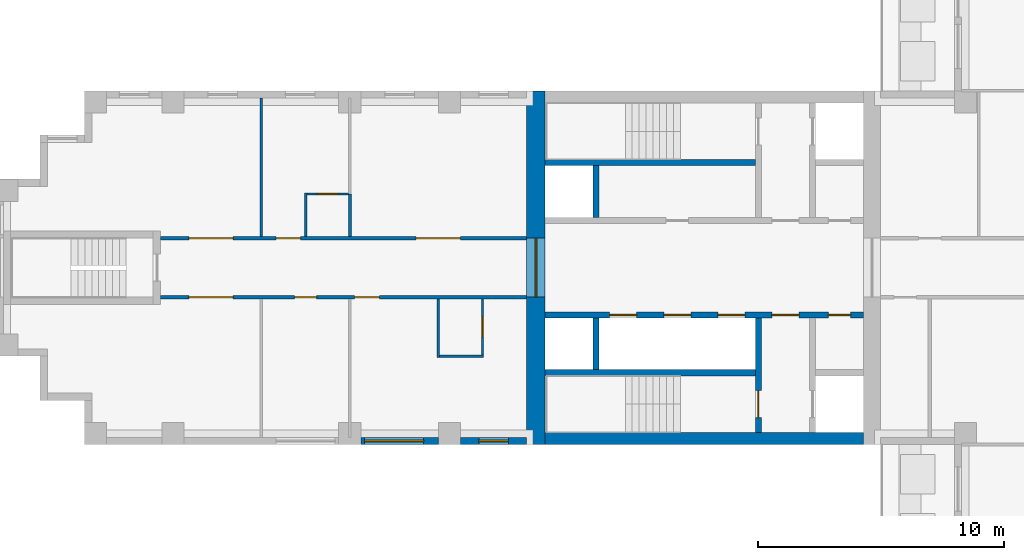
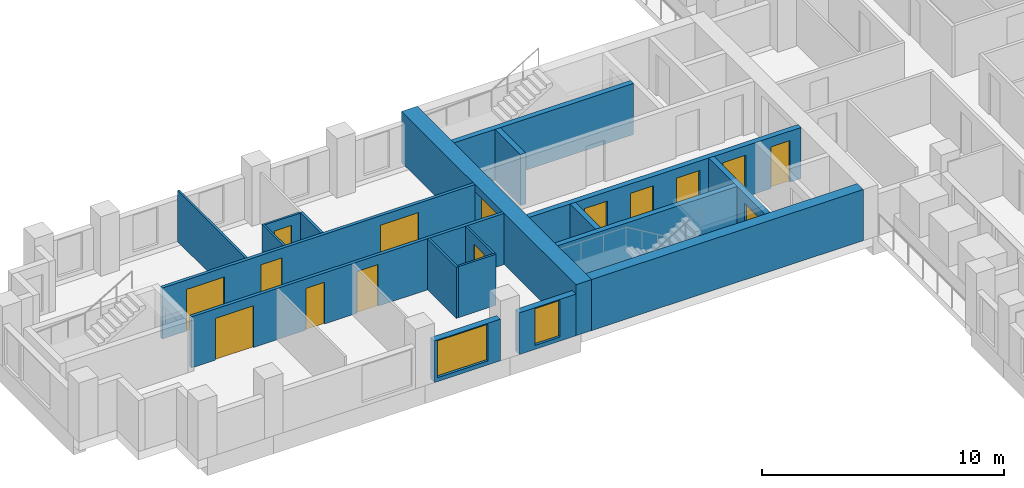
# One storey, part 6 of 14: 19 walls, 15 doors, 2 windows, 17 openings.
"""IFC4 building model written with IfcOpenShell, lengths in metres."""

from ifc_helpers import new_model, si_unit, direction, frame, frame_2d, origin, place, context, subcontext, project, spatial, rectangle, extrude, material, layer, layer_set, type_object, element, fill, save


model = new_model("IFC4")

# Units and contexts
model_context = context("Model", 3, precision=1e-05, world=origin(), true_north=direction((0.0, 1.0)))
body_context = subcontext(model_context, "Body", "Model", "MODEL_VIEW")
ifc_project = project(units=[si_unit("LENGTHUNIT", "METRE"), si_unit("AREAUNIT", "SQUARE_METRE"), si_unit("VOLUMEUNIT", "CUBIC_METRE"), si_unit("PLANEANGLEUNIT", "RADIAN"), si_unit("MASSUNIT", "GRAM", prefix="KILO")], contexts=[model_context])

# Site, building, storey
site_placement = place(None, origin())
site = spatial("IfcSite", under=ifc_project, at=site_placement, CompositionType="ELEMENT")
building_placement = place(site_placement, origin())
building = spatial("IfcBuilding", under=site, at=building_placement, Name="Fustian Cross Tower", CompositionType="ELEMENT")
storey_placement = place(building_placement, frame((0.0, 0.0, 96.89990234375)))
storey = spatial("IfcBuildingStorey", under=building, at=storey_placement, Name="L30", CompositionType="ELEMENT", Elevation=96.89990234375)

# Wall, openings, doors
ifc_material_1 = material(Name="Plasterboard on steel stud", Category="steel")
ifc_layer_1 = layer(ifc_material_1, 0.14990234375)
ifc_layer_set_1 = layer_set([ifc_layer_1], Name="Plasterboard on steel stud")
wall_type_1 = type_object("IfcWallType", Name="COMPARTMENT WALL 150 EI 60", PredefinedType="PARTITIONING", material=ifc_layer_set_1)
wall_1_placement = place(storey_placement, frame((-36.5, -1.199951171875, 0.0), z_axis=(0.0, 0.0, 1.0), x_axis=(1.0, 0.0, 0.0)))
wall_1 = element("IfcWall", 1, at=wall_1_placement, inside=storey, type_object=wall_type_1, Name="Partition 1", PredefinedType="PARTITIONING", context=body_context, shape_type="SweptSolid", body=[
    extrude(rectangle(XDim=14.89990234375, YDim=0.14990234375, at=frame_2d((7.449951171875, 0.0))), origin(), (0.0, 0.0, 1.0), 2.5751953125),
])
opening_1_placement = place(wall_1_placement, frame((7.89990234375, 0.0, 0.0)))
opening_1 = element("IfcOpeningElement", 2, at=opening_1_placement, cuts=wall_1, Name="Opening D14028", PredefinedType="OPENING", context=body_context, shape_type="SweptSolid", body=[
    extrude(rectangle(XDim=1.0, YDim=2.10009765625, at=frame_2d((0.5, 1.050048828125))), frame((0.0, 0.0849609375, 0.0), z_axis=(0.0, -1.0, 0.0), x_axis=(1.0, 0.0, 0.0)), (0.0, 0.0, 1.0), 0.169921875),
])
opening_2_placement = place(wall_1_placement, frame((5.449951171875, 0.0, 0.0)))
opening_2 = element("IfcOpeningElement", 3, at=opening_2_placement, cuts=wall_1, Name="Opening D14029", PredefinedType="OPENING", context=body_context, shape_type="SweptSolid", body=[
    extrude(rectangle(XDim=0.89990234375, YDim=2.10009765625, at=frame_2d((0.449951171875, 1.050048828125))), frame((0.0, 0.0849609375, 0.0), z_axis=(0.0, -1.0, 0.0), x_axis=(1.0, 0.0, 0.0)), (0.0, 0.0, 1.0), 0.169921875),
])
opening_3_placement = place(wall_1_placement, frame((1.14990234375, 0.0, 0.0)))
opening_3 = element("IfcOpeningElement", 4, at=opening_3_placement, cuts=wall_1, Name="Opening D14030", PredefinedType="OPENING", context=body_context, shape_type="SweptSolid", body=[
    extrude(rectangle(XDim=1.800048828125, YDim=2.10009765625, at=frame_2d((0.89990234375, 1.050048828125))), frame((0.0, 0.0849609375, 0.0), z_axis=(0.0, -1.0, 0.0), x_axis=(1.0, 0.0, 0.0)), (0.0, 0.0, 1.0), 0.169921875),
])
ifc_material_2 = material(Name="Timber fire door set", Category="wood")
door_type_1 = type_object("IfcDoorType", Name="FIRE DOUBLE DOOR 1800 FD30S", OperationType="DOUBLE_DOOR_DOUBLE_SWING", PredefinedType="DOOR", material=ifc_material_2)
door_1_placement = place(opening_3_placement, origin())
door_1 = element("IfcDoor", 5, at=door_1_placement, inside=storey, type_object=door_type_1, Name="Door D14030", OperationType="DOUBLE_DOOR_DOUBLE_SWING", OverallHeight=2.10009765625, OverallWidth=1.800048828125, PredefinedType="DOOR", context=body_context, shape_type="SweptSolid", body=[
    extrude(rectangle(XDim=1.800048828125, YDim=2.10009765625, at=frame_2d((0.89990234375, 1.050048828125))), frame((0.0, 0.02490234375, 0.0), z_axis=(0.0, -1.0, 0.0), x_axis=(1.0, 0.0, 0.0)), (0.0, 0.0, 1.0), 0.050048828125),
])
fill(opening_3, door_1)
ifc_material_3 = material(Name="Timber fire door set", Category="wood")
door_type_2 = type_object("IfcDoorType", Name="FIRE SWING DOOR 1000 FD30S", OperationType="SINGLE_SWING_LEFT", PredefinedType="DOOR", material=ifc_material_3)
door_2_placement = place(opening_1_placement, frame((1.0, 0.0, 0.0), z_axis=(0.0, 0.0, 1.0), x_axis=(-1.0, 0.0, 0.0)))
door_2 = element("IfcDoor", 6, at=door_2_placement, inside=storey, type_object=door_type_2, Name="Door D14028", OperationType="SINGLE_SWING_RIGHT", OverallHeight=2.10009765625, OverallWidth=1.0, PredefinedType="DOOR", context=body_context, shape_type="SweptSolid", body=[
    extrude(rectangle(XDim=1.0, YDim=2.10009765625, at=frame_2d((0.5, 1.050048828125))), frame((0.0, 0.02490234375, 0.0), z_axis=(0.0, -1.0, 0.0), x_axis=(1.0, 0.0, 0.0)), (0.0, 0.0, 1.0), 0.050048828125),
])
fill(opening_1, door_2)
ifc_material_4 = material(Name="Timber fire door set", Category="wood")
door_type_3 = type_object("IfcDoorType", Name="FIRE SWING DOOR 900 FD30S", OperationType="SINGLE_SWING_LEFT", PredefinedType="DOOR", material=ifc_material_4)
door_3_placement = place(opening_2_placement, frame((0.89990234375, 0.0, 0.0), z_axis=(0.0, 0.0, 1.0), x_axis=(-1.0, 0.0, 0.0)))
door_3 = element("IfcDoor", 7, at=door_3_placement, inside=storey, type_object=door_type_3, Name="Door D14029", OperationType="SINGLE_SWING_RIGHT", OverallHeight=2.10009765625, OverallWidth=0.89990234375, PredefinedType="DOOR", context=body_context, shape_type="SweptSolid", body=[
    extrude(rectangle(XDim=0.89990234375, YDim=2.10009765625, at=frame_2d((0.449951171875, 1.050048828125))), frame((0.0, 0.02490234375, 0.0), z_axis=(0.0, -1.0, 0.0), x_axis=(1.0, 0.0, 0.0)), (0.0, 0.0, 1.0), 0.050048828125),
])
fill(opening_2, door_3)

wall_2_placement = place(storey_placement, frame((-36.5, 1.199951171875, 0.0), z_axis=(0.0, 0.0, 1.0), x_axis=(1.0, 0.0, 0.0)))
wall_2 = element("IfcWall", 8, at=wall_2_placement, inside=storey, type_object=wall_type_1, Name="Partition 2", PredefinedType="PARTITIONING", context=body_context, shape_type="SweptSolid", body=[
    extrude(rectangle(XDim=14.89990234375, YDim=0.14990234375, at=frame_2d((7.449951171875, 0.0))), origin(), (0.0, 0.0, 1.0), 2.5751953125),
])
opening_4_placement = place(wall_2_placement, frame((10.39990234375, 0.0, 0.0)))
opening_4 = element("IfcOpeningElement", 9, at=opening_4_placement, cuts=wall_2, Name="Opening D14031", PredefinedType="OPENING", context=body_context, shape_type="SweptSolid", body=[
    extrude(rectangle(XDim=1.800048828125, YDim=2.10009765625, at=frame_2d((0.89990234375, 1.050048828125))), frame((0.0, 0.0849609375, 0.0), z_axis=(0.0, -1.0, 0.0), x_axis=(1.0, 0.0, 0.0)), (0.0, 0.0, 1.0), 0.169921875),
])
opening_5_placement = place(wall_2_placement, frame((4.699951171875, 0.0, 0.0)))
opening_5 = element("IfcOpeningElement", 10, at=opening_5_placement, cuts=wall_2, Name="Opening D14033", PredefinedType="OPENING", context=body_context, shape_type="SweptSolid", body=[
    extrude(rectangle(XDim=1.0, YDim=2.10009765625, at=frame_2d((0.5, 1.050048828125))), frame((0.0, 0.0849609375, 0.0), z_axis=(0.0, -1.0, 0.0), x_axis=(1.0, 0.0, 0.0)), (0.0, 0.0, 1.0), 0.169921875),
])
opening_6_placement = place(wall_2_placement, frame((1.14990234375, 0.0, 0.0)))
opening_6 = element("IfcOpeningElement", 11, at=opening_6_placement, cuts=wall_2, Name="Opening D14034", PredefinedType="OPENING", context=body_context, shape_type="SweptSolid", body=[
    extrude(rectangle(XDim=1.800048828125, YDim=2.10009765625, at=frame_2d((0.89990234375, 1.050048828125))), frame((0.0, 0.0849609375, 0.0), z_axis=(0.0, -1.0, 0.0), x_axis=(1.0, 0.0, 0.0)), (0.0, 0.0, 1.0), 0.169921875),
])
door_4_placement = place(opening_4_placement, frame((1.800048828125, 0.0, 0.0), z_axis=(0.0, 0.0, 1.0), x_axis=(-1.0, 0.0, 0.0)))
door_4 = element("IfcDoor", 12, at=door_4_placement, inside=storey, type_object=door_type_1, Name="Door D14031", OperationType="DOUBLE_DOOR_DOUBLE_SWING", OverallHeight=2.10009765625, OverallWidth=1.800048828125, PredefinedType="DOOR", context=body_context, shape_type="SweptSolid", body=[
    extrude(rectangle(XDim=1.800048828125, YDim=2.10009765625, at=frame_2d((0.89990234375, 1.050048828125))), frame((0.0, 0.02490234375, 0.0), z_axis=(0.0, -1.0, 0.0), x_axis=(1.0, 0.0, 0.0)), (0.0, 0.0, 1.0), 0.050048828125),
])
fill(opening_4, door_4)
door_5_placement = place(opening_6_placement, frame((1.800048828125, 0.0, 0.0), z_axis=(0.0, 0.0, 1.0), x_axis=(-1.0, 0.0, 0.0)))
door_5 = element("IfcDoor", 13, at=door_5_placement, inside=storey, type_object=door_type_1, Name="Door D14034", OperationType="DOUBLE_DOOR_DOUBLE_SWING", OverallHeight=2.10009765625, OverallWidth=1.800048828125, PredefinedType="DOOR", context=body_context, shape_type="SweptSolid", body=[
    extrude(rectangle(XDim=1.800048828125, YDim=2.10009765625, at=frame_2d((0.89990234375, 1.050048828125))), frame((0.0, 0.02490234375, 0.0), z_axis=(0.0, -1.0, 0.0), x_axis=(1.0, 0.0, 0.0)), (0.0, 0.0, 1.0), 0.050048828125),
])
fill(opening_6, door_5)
door_6_placement = place(opening_5_placement, origin())
door_6 = element("IfcDoor", 14, at=door_6_placement, inside=storey, type_object=door_type_2, Name="Door D14033", OperationType="SINGLE_SWING_RIGHT", OverallHeight=2.10009765625, OverallWidth=1.0, PredefinedType="DOOR", context=body_context, shape_type="SweptSolid", body=[
    extrude(rectangle(XDim=1.0, YDim=2.10009765625, at=frame_2d((0.5, 1.050048828125))), frame((0.0, 0.02490234375, 0.0), z_axis=(0.0, -1.0, 0.0), x_axis=(1.0, 0.0, 0.0)), (0.0, 0.0, 1.0), 0.050048828125),
])
fill(opening_5, door_6)

# Wall, opening, door
ifc_material_5 = material(Name="Concrete C70/85", Category="concrete")
ifc_layer_2 = layer(ifc_material_5, 0.75)
ifc_layer_set_2 = layer_set([ifc_layer_2], Name="Concrete C70/85")
wall_type_2 = type_object("IfcWallType", Name="CORE END WALL 750 C70/85", PredefinedType="SHEAR", material=ifc_layer_set_2)
wall_3_placement = place(storey_placement, frame((-21.22509765625, -7.199951171875, 0.0), z_axis=(0.0, 0.0, 1.0), x_axis=(0.0, 1.0, 0.0)))
wall_3 = element("IfcWall", 15, at=wall_3_placement, inside=storey, type_object=wall_type_2, Name="Core end wall", PredefinedType="SHEAR", context=body_context, shape_type="SweptSolid", body=[
    extrude(rectangle(XDim=14.39990234375, YDim=0.75, at=frame_2d((7.199951171875, 0.0))), origin(), (0.0, 0.0, 1.0), 2.5751953125),
])
opening_7_placement = place(wall_3_placement, frame((6.0, 0.0, 0.0)))
opening_7 = element("IfcOpeningElement", 16, at=opening_7_placement, cuts=wall_3, Name="Opening CD-09-27", PredefinedType="OPENING", context=body_context, shape_type="SweptSolid", body=[
    extrude(rectangle(XDim=2.39990234375, YDim=2.199951171875, at=frame_2d((1.199951171875, 1.10009765625))), frame((0.0, 0.385009765625, 0.0), z_axis=(0.0, -1.0, 0.0), x_axis=(1.0, 0.0, 0.0)), (0.0, 0.0, 1.0), 0.77001953125),
])
ifc_material_6 = material(Name="Steel", Category="steel")
door_type_4 = type_object("IfcDoorType", Name="FIRE DOOR FD30S DOUBLE 2400X2200", OperationType="DOUBLE_DOOR_DOUBLE_SWING", PredefinedType="DOOR", material=ifc_material_6)
door_7_placement = place(opening_7_placement, frame((2.39990234375, 0.0, 0.0), z_axis=(0.0, 0.0, 1.0), x_axis=(-1.0, 0.0, 0.0)))
door_7 = element("IfcDoor", 17, at=door_7_placement, inside=storey, type_object=door_type_4, Name="Core door CD-09-27", OperationType="DOUBLE_DOOR_DOUBLE_SWING", OverallHeight=2.199951171875, OverallWidth=2.39990234375, PredefinedType="DOOR", context=body_context, shape_type="SweptSolid", body=[
    extrude(rectangle(XDim=2.39990234375, YDim=2.199951171875, at=frame_2d((1.199951171875, 1.10009765625))), frame((0.0, 0.02490234375, 0.0), z_axis=(0.0, -1.0, 0.0), x_axis=(1.0, 0.0, 0.0)), (0.0, 0.0, 1.0), 0.050048828125),
])
fill(opening_7, door_7)

# Wall
ifc_material_7 = material(Name="Concrete C70/85", Category="concrete")
ifc_layer_3 = layer(ifc_material_7, 0.5)
ifc_layer_set_3 = layer_set([ifc_layer_3], Name="Concrete C70/85")
wall_type_3 = type_object("IfcWallType", Name="CORE FACADE WALL 500 C70/85", PredefinedType="SHEAR", material=ifc_layer_set_3)
wall_4_placement = place(storey_placement, frame((-7.89990234375, -6.949951171875, 0.0), z_axis=(0.0, 0.0, 1.0), x_axis=(-1.0, 0.0, 0.0)))
element("IfcWall", 18, at=wall_4_placement, inside=storey, type_object=wall_type_3, Name="Core facade wall", PredefinedType="SHEAR", context=body_context, shape_type="SweptSolid", body=[
    extrude(rectangle(XDim=12.9501953125, YDim=0.5, at=frame_2d((6.47509765625, 0.0))), origin(), (0.0, 0.0, 1.0), 2.5751953125),
])

# Wall, openings, doors
ifc_material_8 = material(Name="Concrete C50/60", Category="concrete")
ifc_layer_4 = layer(ifc_material_8, 0.25)
ifc_layer_set_4 = layer_set([ifc_layer_4], Name="Concrete C50/60")
wall_type_4 = type_object("IfcWallType", Name="CORE LOBBY WALL 250 C50/60", PredefinedType="SHEAR", material=ifc_layer_set_4)
wall_5_placement = place(storey_placement, frame((-7.89990234375, -1.925048828125, 0.0), z_axis=(0.0, 0.0, 1.0), x_axis=(-1.0, 0.0, 0.0)))
wall_5 = element("IfcWall", 19, at=wall_5_placement, inside=storey, type_object=wall_type_4, Name="Core lobby wall", PredefinedType="SHEAR", context=body_context, shape_type="SweptSolid", body=[
    extrude(rectangle(XDim=12.9501953125, YDim=0.25, at=frame_2d((6.47509765625, 0.0))), origin(), (0.0, 0.0, 1.0), 2.5751953125),
])
opening_8_placement = place(wall_5_placement, frame((4.824951171875, 0.0, 0.0)))
opening_8 = element("IfcOpeningElement", 20, at=opening_8_placement, cuts=wall_5, Name="Opening LD", PredefinedType="OPENING", context=body_context, shape_type="SweptSolid", body=[
    extrude(rectangle(XDim=1.10009765625, YDim=2.10009765625, at=frame_2d((0.550048828125, 1.050048828125))), frame((0.0, 0.135009765625, 0.0), z_axis=(0.0, -1.0, 0.0), x_axis=(1.0, 0.0, 0.0)), (0.0, 0.0, 1.0), 0.27001953125),
])
opening_9_placement = place(wall_5_placement, frame((7.02490234375, 0.0, 0.0)))
opening_9 = element("IfcOpeningElement", 21, at=opening_9_placement, cuts=wall_5, Name="Opening LD", PredefinedType="OPENING", context=body_context, shape_type="SweptSolid", body=[
    extrude(rectangle(XDim=1.10009765625, YDim=2.10009765625, at=frame_2d((0.550048828125, 1.050048828125))), frame((0.0, 0.135009765625, 0.0), z_axis=(0.0, -1.0, 0.0), x_axis=(1.0, 0.0, 0.0)), (0.0, 0.0, 1.0), 0.27001953125),
])
opening_10_placement = place(wall_5_placement, frame((9.22509765625, 0.0, 0.0)))
opening_10 = element("IfcOpeningElement", 22, at=opening_10_placement, cuts=wall_5, Name="Opening LD", PredefinedType="OPENING", context=body_context, shape_type="SweptSolid", body=[
    extrude(rectangle(XDim=1.10009765625, YDim=2.10009765625, at=frame_2d((0.550048828125, 1.050048828125))), frame((0.0, 0.135009765625, 0.0), z_axis=(0.0, -1.0, 0.0), x_axis=(1.0, 0.0, 0.0)), (0.0, 0.0, 1.0), 0.27001953125),
])
opening_11_placement = place(wall_5_placement, frame((0.52490234375, 0.0, 0.0)))
opening_11 = element("IfcOpeningElement", 23, at=opening_11_placement, cuts=wall_5, Name="Opening CD-09-23", PredefinedType="OPENING", context=body_context, shape_type="SweptSolid", body=[
    extrude(rectangle(XDim=0.89990234375, YDim=2.10009765625, at=frame_2d((0.449951171875, 1.050048828125))), frame((0.0, 0.135009765625, 0.0), z_axis=(0.0, -1.0, 0.0), x_axis=(1.0, 0.0, 0.0)), (0.0, 0.0, 1.0), 0.27001953125),
])
opening_12_placement = place(wall_5_placement, frame((2.625, 0.0, 0.0)))
opening_12 = element("IfcOpeningElement", 24, at=opening_12_placement, cuts=wall_5, Name="Opening CD-09-25", PredefinedType="OPENING", context=body_context, shape_type="SweptSolid", body=[
    extrude(rectangle(XDim=1.10009765625, YDim=2.10009765625, at=frame_2d((0.550048828125, 1.050048828125))), frame((0.0, 0.135009765625, 0.0), z_axis=(0.0, -1.0, 0.0), x_axis=(1.0, 0.0, 0.0)), (0.0, 0.0, 1.0), 0.27001953125),
])
ifc_material_9 = material(Name="Steel", Category="steel")
door_type_5 = type_object("IfcDoorType", Name="FIRE DOOR FD30S 1100X2100", OperationType="SINGLE_SWING_LEFT", PredefinedType="DOOR", material=ifc_material_9)
door_8_placement = place(opening_12_placement, frame((1.10009765625, 0.0, 0.0), z_axis=(0.0, 0.0, 1.0), x_axis=(-1.0, 0.0, 0.0)))
door_8 = element("IfcDoor", 25, at=door_8_placement, inside=storey, type_object=door_type_5, Name="Core door CD-09-25", OperationType="SINGLE_SWING_RIGHT", OverallHeight=2.10009765625, OverallWidth=1.10009765625, PredefinedType="DOOR", context=body_context, shape_type="SweptSolid", body=[
    extrude(rectangle(XDim=1.10009765625, YDim=2.10009765625, at=frame_2d((0.550048828125, 1.050048828125))), frame((0.0, 0.02490234375, 0.0), z_axis=(0.0, -1.0, 0.0), x_axis=(1.0, 0.0, 0.0)), (0.0, 0.0, 1.0), 0.050048828125),
])
fill(opening_12, door_8)
ifc_material_10 = material(Name="Steel", Category="steel")
door_type_6 = type_object("IfcDoorType", Name="FIRE DOOR FD30S 900X2100", OperationType="SINGLE_SWING_LEFT", PredefinedType="DOOR", material=ifc_material_10)
door_9_placement = place(opening_11_placement, origin())
door_9 = element("IfcDoor", 26, at=door_9_placement, inside=storey, type_object=door_type_6, Name="Core door CD-09-23", OperationType="SINGLE_SWING_LEFT", OverallHeight=2.10009765625, OverallWidth=0.89990234375, PredefinedType="DOOR", context=body_context, shape_type="SweptSolid", body=[
    extrude(rectangle(XDim=0.89990234375, YDim=2.10009765625, at=frame_2d((0.449951171875, 1.050048828125))), frame((0.0, 0.02490234375, 0.0), z_axis=(0.0, -1.0, 0.0), x_axis=(1.0, 0.0, 0.0)), (0.0, 0.0, 1.0), 0.050048828125),
])
fill(opening_11, door_9)
ifc_material_11 = material(Name="Stainless steel", Category="steel")
door_type_7 = type_object("IfcDoorType", Name="LIFT LANDING DOOR 1100X2100", OperationType="SLIDING_TO_LEFT", PredefinedType="DOOR", material=ifc_material_11)
door_10_placement = place(opening_8_placement, origin())
door_10 = element("IfcDoor", 27, at=door_10_placement, inside=storey, type_object=door_type_7, Name="Landing door LR1W", OperationType="SLIDING_TO_LEFT", OverallHeight=2.10009765625, OverallWidth=1.10009765625, PredefinedType="DOOR", context=body_context, shape_type="SweptSolid", body=[
    extrude(rectangle(XDim=1.10009765625, YDim=2.10009765625, at=frame_2d((0.550048828125, 1.050048828125))), frame((0.0, 0.02490234375, 0.0), z_axis=(0.0, -1.0, 0.0), x_axis=(1.0, 0.0, 0.0)), (0.0, 0.0, 1.0), 0.050048828125),
])
fill(opening_8, door_10)
door_11_placement = place(opening_9_placement, origin())
door_11 = element("IfcDoor", 28, at=door_11_placement, inside=storey, type_object=door_type_7, Name="Landing door LR2W", OperationType="SLIDING_TO_LEFT", OverallHeight=2.10009765625, OverallWidth=1.10009765625, PredefinedType="DOOR", context=body_context, shape_type="SweptSolid", body=[
    extrude(rectangle(XDim=1.10009765625, YDim=2.10009765625, at=frame_2d((0.550048828125, 1.050048828125))), frame((0.0, 0.02490234375, 0.0), z_axis=(0.0, -1.0, 0.0), x_axis=(1.0, 0.0, 0.0)), (0.0, 0.0, 1.0), 0.050048828125),
])
fill(opening_9, door_11)
door_12_placement = place(opening_10_placement, origin())
door_12 = element("IfcDoor", 29, at=door_12_placement, inside=storey, type_object=door_type_7, Name="Landing door LR3W", OperationType="SLIDING_TO_LEFT", OverallHeight=2.10009765625, OverallWidth=1.10009765625, PredefinedType="DOOR", context=body_context, shape_type="SweptSolid", body=[
    extrude(rectangle(XDim=1.10009765625, YDim=2.10009765625, at=frame_2d((0.550048828125, 1.050048828125))), frame((0.0, 0.02490234375, 0.0), z_axis=(0.0, -1.0, 0.0), x_axis=(1.0, 0.0, 0.0)), (0.0, 0.0, 1.0), 0.050048828125),
])
fill(opening_10, door_12)

# Walls
ifc_material_12 = material(Name="Concrete C50/60", Category="concrete")
ifc_layer_5 = layer(ifc_material_12, 0.25)
ifc_layer_set_5 = layer_set([ifc_layer_5], Name="Concrete C50/60")
wall_type_5 = type_object("IfcWallType", Name="CORE SHAFT WALL 250 C50/60", PredefinedType="SHEAR", material=ifc_layer_set_5)
for number, where, z_axis, x_axis, name in (
    (30, (-12.300048828125, 4.27490234375, 0.0), (0.0, 0.0, 1.0), (-1.0, 0.0, 0.0), "Core shaft wall"),
    (31, (-12.300048828125, -4.27490234375, 0.0), (0.0, 0.0, 1.0), (-1.0, 0.0, 0.0), "Core shaft wall"),
):
    element("IfcWall", number, at=place(storey_placement, frame(where, z_axis=z_axis, x_axis=x_axis)), inside=storey, type_object=wall_type_5, Name=name, PredefinedType="SHEAR", context=body_context, shape_type="SweptSolid", body=[
        extrude(rectangle(XDim=8.550048828125, YDim=0.25, at=frame_2d((4.27490234375, 0.0))), origin(), (0.0, 0.0, 1.0), 2.5751953125),
    ])

# Wall, opening, door
wall_6_placement = place(storey_placement, frame((-12.175048828125, -2.050048828125, 0.0), z_axis=(0.0, 0.0, 1.0), x_axis=(0.0, -1.0, 0.0)))
wall_6 = element("IfcWall", 32, at=wall_6_placement, inside=storey, type_object=wall_type_5, Name="Core shaft wall", PredefinedType="SHEAR", context=body_context, shape_type="SweptSolid", body=[
    extrude(rectangle(XDim=4.64990234375, YDim=0.25, at=frame_2d((2.324951171875, 0.0))), origin(), (0.0, 0.0, 1.0), 2.5751953125),
])
opening_13_placement = place(wall_6_placement, frame((2.949951171875, 0.0, 0.0)))
opening_13 = element("IfcOpeningElement", 33, at=opening_13_placement, cuts=wall_6, Name="Opening CD-09-21", PredefinedType="OPENING", context=body_context, shape_type="SweptSolid", body=[
    extrude(rectangle(XDim=1.10009765625, YDim=2.10009765625, at=frame_2d((0.550048828125, 1.050048828125))), frame((0.0, 0.135009765625, 0.0), z_axis=(0.0, -1.0, 0.0), x_axis=(1.0, 0.0, 0.0)), (0.0, 0.0, 1.0), 0.27001953125),
])
ifc_material_13 = material(Name="Steel", Category="steel")
door_type_8 = type_object("IfcDoorType", Name="FIRE DOOR FD60S 1100X2100", OperationType="SINGLE_SWING_LEFT", PredefinedType="DOOR", material=ifc_material_13)
door_13_placement = place(opening_13_placement, frame((1.10009765625, 0.0, 0.0), z_axis=(0.0, 0.0, 1.0), x_axis=(-1.0, 0.0, 0.0)))
door_13 = element("IfcDoor", 34, at=door_13_placement, inside=storey, type_object=door_type_8, Name="Core door CD-09-21", OperationType="SINGLE_SWING_RIGHT", OverallHeight=2.10009765625, OverallWidth=1.10009765625, PredefinedType="DOOR", context=body_context, shape_type="SweptSolid", body=[
    extrude(rectangle(XDim=1.10009765625, YDim=2.10009765625, at=frame_2d((0.550048828125, 1.050048828125))), frame((0.0, 0.02490234375, 0.0), z_axis=(0.0, -1.0, 0.0), x_axis=(1.0, 0.0, 0.0)), (0.0, 0.0, 1.0), 0.050048828125),
])
fill(opening_13, door_13)

# Walls
ifc_material_14 = material(Name="Plasterboard on steel stud", Category="steel")
ifc_layer_6 = layer(ifc_material_14, 0.10009765625)
ifc_layer_set_6 = layer_set([ifc_layer_6], Name="Plasterboard on steel stud")
wall_type_6 = type_object("IfcWallType", Name="PARTITION 100 STUD", PredefinedType="PARTITIONING", material=ifc_layer_set_6)
wall_7_placement = place(storey_placement, frame((-32.39990234375, 1.27490234375, 0.0), z_axis=(0.0, 0.0, 1.0), x_axis=(0.0, 1.0, 0.0)))
element("IfcWall", 35, at=wall_7_placement, inside=storey, type_object=wall_type_6, Name="Partition 4", PredefinedType="PARTITIONING", context=body_context, shape_type="SweptSolid", body=[
    extrude(rectangle(XDim=5.625, YDim=0.10009765625, at=frame_2d((2.8125, 0.0))), origin(), (0.0, 0.0, 1.0), 2.5751953125),
])
wall_8_placement = place(storey_placement, frame((-30.60009765625, 1.27490234375, 0.0), z_axis=(0.0, 0.0, 1.0), x_axis=(0.0, 1.0, 0.0)))
element("IfcWall", 36, at=wall_8_placement, inside=storey, type_object=wall_type_6, Name="Partition 5", PredefinedType="PARTITIONING", context=body_context, shape_type="SweptSolid", body=[
    extrude(rectangle(XDim=1.775146484375, YDim=0.10009765625, at=frame_2d((0.8876953125, 0.0))), origin(), (0.0, 0.0, 1.0), 2.5751953125),
])

# Wall, opening, door
wall_9_placement = place(storey_placement, frame((-30.550048828125, 3.0, 0.0), z_axis=(0.0, 0.0, 1.0), x_axis=(1.0, 0.0, 0.0)))
wall_9 = element("IfcWall", 37, at=wall_9_placement, inside=storey, type_object=wall_type_6, Name="Partition 6", PredefinedType="PARTITIONING", context=body_context, shape_type="SweptSolid", body=[
    extrude(rectangle(XDim=1.6875, YDim=0.10009765625, at=frame_2d((0.84375, 0.0))), origin(), (0.0, 0.0, 1.0), 2.5751953125),
])
opening_14_placement = place(wall_9_placement, frame((0.449951171875, 0.0, 0.0)))
opening_14 = element("IfcOpeningElement", 38, at=opening_14_placement, cuts=wall_9, Name="Opening D14032", PredefinedType="OPENING", context=body_context, shape_type="SweptSolid", body=[
    extrude(rectangle(XDim=0.800048828125, YDim=2.10009765625, at=frame_2d((0.39990234375, 1.050048828125))), frame((0.0, 0.06005859375, 0.0), z_axis=(0.0, -1.0, 0.0), x_axis=(1.0, 0.0, 0.0)), (0.0, 0.0, 1.0), 0.1201171875),
])
ifc_material_15 = material(Name="Painted timber", Category="wood")
door_type_9 = type_object("IfcDoorType", Name="SWING DOOR 800", OperationType="SINGLE_SWING_LEFT", PredefinedType="DOOR", material=ifc_material_15)
door_14_placement = place(opening_14_placement, frame((0.800048828125, 0.0, 0.0), z_axis=(0.0, 0.0, 1.0), x_axis=(-1.0, 0.0, 0.0)))
door_14 = element("IfcDoor", 39, at=door_14_placement, inside=storey, type_object=door_type_9, Name="Door D14032", OperationType="SINGLE_SWING_LEFT", OverallHeight=2.10009765625, OverallWidth=0.800048828125, PredefinedType="DOOR", context=body_context, shape_type="SweptSolid", body=[
    extrude(rectangle(XDim=0.800048828125, YDim=2.10009765625, at=frame_2d((0.39990234375, 1.050048828125))), frame((0.0, 0.02490234375, 0.0), z_axis=(0.0, -1.0, 0.0), x_axis=(1.0, 0.0, 0.0)), (0.0, 0.0, 1.0), 0.050048828125),
])
fill(opening_14, door_14)

# Walls
wall_10_placement = place(storey_placement, frame((-25.199951171875, -3.64990234375, 0.0), z_axis=(0.0, 0.0, 1.0), x_axis=(0.0, 1.0, 0.0)))
element("IfcWall", 40, at=wall_10_placement, inside=storey, type_object=wall_type_6, Name="Partition 10", PredefinedType="PARTITIONING", context=body_context, shape_type="SweptSolid", body=[
    extrude(rectangle(XDim=2.375, YDim=0.10009765625, at=frame_2d((1.1875, 0.0))), origin(), (0.0, 0.0, 1.0), 2.5751953125),
])
wall_11_placement = place(storey_placement, frame((-25.14990234375, -3.60009765625, 0.0), z_axis=(0.0, 0.0, 1.0), x_axis=(1.0, 0.0, 0.0)))
element("IfcWall", 41, at=wall_11_placement, inside=storey, type_object=wall_type_6, Name="Partition 11", PredefinedType="PARTITIONING", context=body_context, shape_type="SweptSolid", body=[
    extrude(rectangle(XDim=1.7998046875, YDim=0.10009765625, at=frame_2d((0.89990234375, 0.0))), origin(), (0.0, 0.0, 1.0), 2.5751953125),
])

# Wall, opening, door
wall_12_placement = place(storey_placement, frame((-23.39990234375, -3.550048828125, 0.0), z_axis=(0.0, 0.0, 1.0), x_axis=(0.0, 1.0, 0.0)))
wall_12 = element("IfcWall", 42, at=wall_12_placement, inside=storey, type_object=wall_type_6, Name="Partition 12", PredefinedType="PARTITIONING", context=body_context, shape_type="SweptSolid", body=[
    extrude(rectangle(XDim=2.275146484375, YDim=0.10009765625, at=frame_2d((1.1376953125, 0.0))), origin(), (0.0, 0.0, 1.0), 2.5751953125),
])
opening_15_placement = place(wall_12_placement, frame((0.75, 0.0, 0.0)))
opening_15 = element("IfcOpeningElement", 43, at=opening_15_placement, cuts=wall_12, Name="Opening D14027", PredefinedType="OPENING", context=body_context, shape_type="SweptSolid", body=[
    extrude(rectangle(XDim=0.800048828125, YDim=2.10009765625, at=frame_2d((0.39990234375, 1.050048828125))), frame((0.0, 0.06005859375, 0.0), z_axis=(0.0, -1.0, 0.0), x_axis=(1.0, 0.0, 0.0)), (0.0, 0.0, 1.0), 0.1201171875),
])
door_15_placement = place(opening_15_placement, origin())
door_15 = element("IfcDoor", 44, at=door_15_placement, inside=storey, type_object=door_type_9, Name="Door D14027", OperationType="SINGLE_SWING_LEFT", OverallHeight=2.10009765625, OverallWidth=0.800048828125, PredefinedType="DOOR", context=body_context, shape_type="SweptSolid", body=[
    extrude(rectangle(XDim=0.800048828125, YDim=2.10009765625, at=frame_2d((0.39990234375, 1.050048828125))), frame((0.0, 0.02490234375, 0.0), z_axis=(0.0, -1.0, 0.0), x_axis=(1.0, 0.0, 0.0)), (0.0, 0.0, 1.0), 0.050048828125),
])
fill(opening_15, door_15)

# Walls
ifc_material_16 = material(Name="Concrete C40/50", Category="concrete")
ifc_layer_7 = layer(ifc_material_16, 0.25)
ifc_layer_set_7 = layer_set([ifc_layer_7], Name="Concrete C40/50")
wall_type_7 = type_object("IfcWallType", Name="SHAFT PARTITION WALL 250 C40/50", PredefinedType="PARTITIONING", material=ifc_layer_set_7)
for number, where, z_axis, x_axis, name in (
    (45, (-18.77490234375, 2.050048828125, 0.0), (0.0, 0.0, 1.0), (0.0, 1.0, 0.0), "Core shaft wall"),
    (46, (-18.77490234375, -2.050048828125, 0.0), (0.0, 0.0, 1.0), (0.0, -1.0, 0.0), "Core shaft wall"),
):
    element("IfcWall", number, at=place(storey_placement, frame(where, z_axis=z_axis, x_axis=x_axis)), inside=storey, type_object=wall_type_7, Name=name, PredefinedType="PARTITIONING", context=body_context, shape_type="SweptSolid", body=[
        extrude(rectangle(XDim=2.099853515625, YDim=0.25, at=frame_2d((1.0498046875, 0.0))), origin(), (0.0, 0.0, 1.0), 2.5751953125),
    ])
ifc_material_17 = material(Name="Plasterboard on steel stud", Category="steel")
ifc_layer_8 = layer(ifc_material_17, 0.125)
ifc_layer_set_8 = layer_set([ifc_layer_8], Name="Plasterboard on steel stud")
wall_type_8 = type_object("IfcWallType", Name="WET WALL 125 STUD", PredefinedType="PARTITIONING", material=ifc_layer_set_8)
wall_13_placement = place(storey_placement, frame((-28.800048828125, 1.27490234375, 0.0), z_axis=(0.0, 0.0, 1.0), x_axis=(0.0, 1.0, 0.0)))
element("IfcWall", 47, at=wall_13_placement, inside=storey, type_object=wall_type_8, Name="Partition 8", PredefinedType="PARTITIONING", context=body_context, shape_type="SweptSolid", body=[
    extrude(rectangle(XDim=1.72509765625, YDim=0.125, at=frame_2d((0.862548828125, 0.0))), origin(), (0.0, 0.0, 1.0), 2.5751953125),
])

# Wall, opening, window
ifc_material_18 = material(Name="Dark aluminium cladding on insulated backing wall", Category="aluminium")
ifc_layer_9 = layer(ifc_material_18, 0.300048828125)
ifc_layer_set_9 = layer_set([ifc_layer_9], Name="Dark aluminium cladding on insulated backing wall")
wall_type_9 = type_object("IfcWallType", Name="XW1 EXTERNAL WALL 300", PredefinedType="SOLIDWALL", material=ifc_layer_set_9)
wall_14_placement = place(storey_placement, frame((-28.35009765625, -7.050048828125, 0.0), z_axis=(0.0, 0.0, 1.0), x_axis=(1.0, 0.0, 0.0)))
wall_14 = element("IfcWall", 48, at=wall_14_placement, inside=storey, type_object=wall_type_9, Name="External wall", PredefinedType="SOLIDWALL", context=body_context, shape_type="SweptSolid", body=[
    extrude(rectangle(XDim=3.150146484375, YDim=0.300048828125, at=frame_2d((1.5751953125, 0.0))), origin(), (0.0, 0.0, 1.0), 2.10009765625),
])
opening_16_placement = place(wall_14_placement, frame((0.14990234375, 0.0, 0.199951171875)))
opening_16 = element("IfcOpeningElement", 49, at=opening_16_placement, cuts=wall_14, Name="Opening WN1", PredefinedType="OPENING", context=body_context, shape_type="SweptSolid", body=[
    extrude(rectangle(XDim=2.39990234375, YDim=1.85009765625, at=frame_2d((1.199951171875, 0.925048828125))), frame((0.0, 0.159912109375, 0.0), z_axis=(0.0, -1.0, 0.0), x_axis=(1.0, 0.0, 0.0)), (0.0, 0.0, 1.0), 0.320068359375),
])
ifc_material_19 = material(Name="Dark anodised aluminium and double glazing", Category="aluminium")
window_type_1 = type_object("IfcWindowType", Name="WN1 WINDOW 2400X1850", PartitioningType="SINGLE_PANEL", PredefinedType="WINDOW", material=ifc_material_19)
window_1_placement = place(opening_16_placement, origin())
window_1 = element("IfcWindow", 50, at=window_1_placement, inside=storey, type_object=window_type_1, Name="Window", OverallHeight=1.85009765625, OverallWidth=2.39990234375, PartitioningType="SINGLE_PANEL", PredefinedType="WINDOW", context=body_context, shape_type="SweptSolid", body=[
    extrude(rectangle(XDim=2.39990234375, YDim=1.85009765625, at=frame_2d((1.199951171875, 0.925048828125))), frame((0.0, 0.030029296875, 0.0), z_axis=(0.0, -1.0, 0.0), x_axis=(1.0, 0.0, 0.0)), (0.0, 0.0, 1.0), 0.06005859375),
])
fill(opening_16, window_1)

wall_15_placement = place(storey_placement, frame((-24.300048828125, -7.050048828125, 0.0), z_axis=(0.0, 0.0, 1.0), x_axis=(1.0, 0.0, 0.0)))
wall_15 = element("IfcWall", 51, at=wall_15_placement, inside=storey, type_object=wall_type_9, Name="External wall", PredefinedType="SOLIDWALL", context=body_context, shape_type="SweptSolid", body=[
    extrude(rectangle(XDim=2.699951171875, YDim=0.300048828125, at=frame_2d((1.35009765625, 0.0))), origin(), (0.0, 0.0, 1.0), 2.10009765625),
])
opening_17_placement = place(wall_15_placement, frame((0.75, 0.0, 0.199951171875)))
opening_17 = element("IfcOpeningElement", 52, at=opening_17_placement, cuts=wall_15, Name="Opening WN3", PredefinedType="OPENING", context=body_context, shape_type="SweptSolid", body=[
    extrude(rectangle(XDim=1.199951171875, YDim=1.85009765625, at=frame_2d((0.60009765625, 0.925048828125))), frame((0.0, 0.159912109375, 0.0), z_axis=(0.0, -1.0, 0.0), x_axis=(1.0, 0.0, 0.0)), (0.0, 0.0, 1.0), 0.320068359375),
])
ifc_material_20 = material(Name="Dark anodised aluminium and double glazing", Category="aluminium")
window_type_2 = type_object("IfcWindowType", Name="WN3 WINDOW 1200X1850", PartitioningType="SINGLE_PANEL", PredefinedType="WINDOW", material=ifc_material_20)
window_2_placement = place(opening_17_placement, origin())
window_2 = element("IfcWindow", 53, at=window_2_placement, inside=storey, type_object=window_type_2, Name="Window", OverallHeight=1.85009765625, OverallWidth=1.199951171875, PartitioningType="SINGLE_PANEL", PredefinedType="WINDOW", context=body_context, shape_type="SweptSolid", body=[
    extrude(rectangle(XDim=1.199951171875, YDim=1.85009765625, at=frame_2d((0.60009765625, 0.925048828125))), frame((0.0, 0.030029296875, 0.0), z_axis=(0.0, -1.0, 0.0), x_axis=(1.0, 0.0, 0.0)), (0.0, 0.0, 1.0), 0.06005859375),
])
fill(opening_17, window_2)

save(model, "model.ifc")
